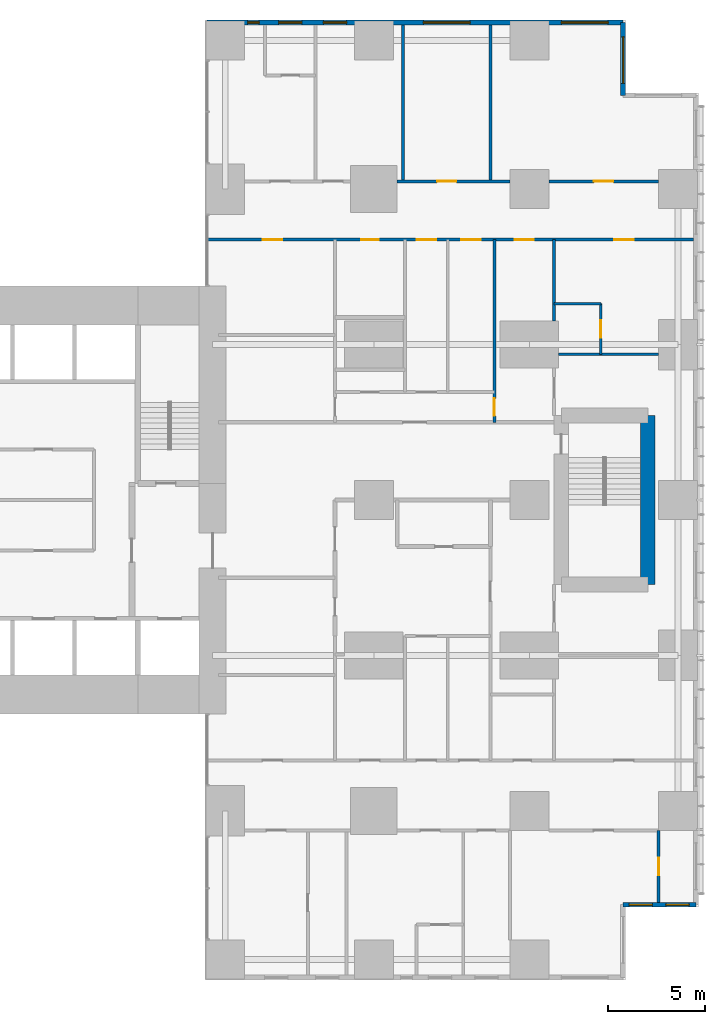
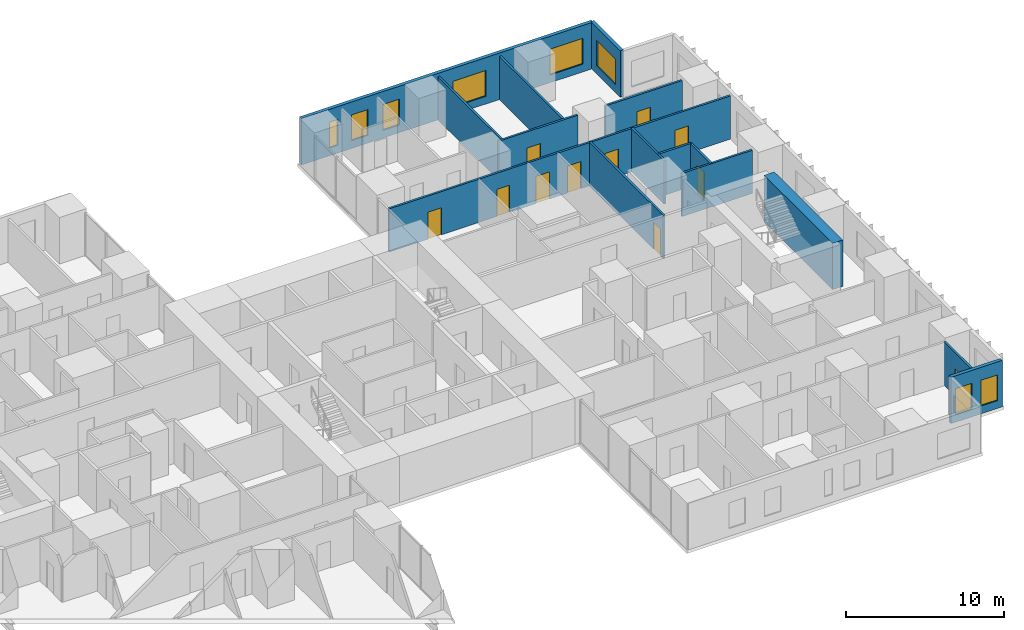
# One storey, part 18 of 20: 15 walls, 11 doors, 8 windows, 19 openings.
"""IFC4 building model written with IfcOpenShell, lengths in metres."""

from ifc_helpers import new_model, si_unit, direction, frame, frame_2d, origin, place, context, subcontext, project, spatial, rectangle, extrude, material, layer, layer_set, type_object, element, fill, save


model = new_model("IFC4")

# Units and contexts
model_context = context("Model", 3, precision=1e-05, world=origin(), true_north=direction((0.0, 1.0)))
body_context = subcontext(model_context, "Body", "Model", "MODEL_VIEW")
ifc_project = project(units=[si_unit("LENGTHUNIT", "METRE"), si_unit("AREAUNIT", "SQUARE_METRE"), si_unit("VOLUMEUNIT", "CUBIC_METRE"), si_unit("PLANEANGLEUNIT", "RADIAN"), si_unit("MASSUNIT", "GRAM", prefix="KILO")], contexts=[model_context])

# Site, building, storey
site_placement = place(None, origin())
site = spatial("IfcSite", under=ifc_project, at=site_placement, CompositionType="ELEMENT")
building_placement = place(site_placement, origin())
building = spatial("IfcBuilding", under=site, at=building_placement, Name="Cleftline Residences", CompositionType="ELEMENT")
storey_placement = place(building_placement, frame((0.0, 0.0, 69.199951171875)))
storey = spatial("IfcBuildingStorey", under=building, at=storey_placement, Name="L17", CompositionType="ELEMENT", Elevation=69.199951171875)

# Wall, openings, windows
ifc_material_1 = material(Name="Rendered reinforced concrete blockwork", Category="masonry")
ifc_layer_1 = layer(ifc_material_1, 0.25)
ifc_layer_set_1 = layer_set([ifc_layer_1], Name="EXTERNAL WALL 250")
wall_type_1 = type_object("IfcWallType", Name="EXTERNAL WALL 250", PredefinedType="SOLIDWALL", material=ifc_layer_set_1)
wall_1_placement = place(storey_placement, frame((62.824951171875, 3.175048828125, 0.0), z_axis=(0.0, 0.0, 1.0), x_axis=(1.0, 0.0, 0.0)))
wall_1 = element("IfcWall", 1, at=wall_1_placement, inside=storey, type_object=wall_type_1, Name="External wall", PredefinedType="SOLIDWALL", context=body_context, shape_type="SweptSolid", body=[
    extrude(rectangle(XDim=3.75, YDim=0.25, at=frame_2d((1.875, 0.0))), origin(), (0.0, 0.0, 1.0), 3.60009765625),
])
opening_1_placement = place(wall_1_placement, frame((0.3125, 0.0, 0.60009765625)))
opening_1 = element("IfcOpeningElement", 2, at=opening_1_placement, cuts=wall_1, Name="Opening W8", PredefinedType="OPENING", context=body_context, shape_type="SweptSolid", body=[
    extrude(rectangle(XDim=1.199951171875, YDim=2.0, at=frame_2d((0.60009765625, 1.0))), frame((0.0, 0.135009765625, 0.0), z_axis=(0.0, -1.0, 0.0), x_axis=(1.0, 0.0, 0.0)), (0.0, 0.0, 1.0), 0.27001953125),
])
opening_2_placement = place(wall_1_placement, frame((2.199951171875, 0.0, 0.60009765625)))
opening_2 = element("IfcOpeningElement", 3, at=opening_2_placement, cuts=wall_1, Name="Opening W8", PredefinedType="OPENING", context=body_context, shape_type="SweptSolid", body=[
    extrude(rectangle(XDim=1.199951171875, YDim=2.0, at=frame_2d((0.60009765625, 1.0))), frame((0.0, 0.135009765625, 0.0), z_axis=(0.0, -1.0, 0.0), x_axis=(1.0, 0.0, 0.0)), (0.0, 0.0, 1.0), 0.27001953125),
])
ifc_material_2 = material(Name="Aluminium frame, clear double glazing", Category="aluminium")
window_type_1 = type_object("IfcWindowType", Name="WINDOW 1200X2000", PartitioningType="DOUBLE_PANEL_VERTICAL", PredefinedType="WINDOW", material=ifc_material_2)
window_1_placement = place(opening_1_placement, origin())
window_1 = element("IfcWindow", 4, at=window_1_placement, inside=storey, type_object=window_type_1, Name="Window", OverallHeight=2.0, OverallWidth=1.199951171875, PartitioningType="SINGLE_PANEL", PredefinedType="WINDOW", context=body_context, shape_type="SweptSolid", body=[
    extrude(rectangle(XDim=1.199951171875, YDim=2.0, at=frame_2d((0.60009765625, 1.0))), frame((0.0, 0.030029296875, 0.0), z_axis=(0.0, -1.0, 0.0), x_axis=(1.0, 0.0, 0.0)), (0.0, 0.0, 1.0), 0.06005859375),
])
fill(opening_1, window_1)
window_2_placement = place(opening_2_placement, origin())
window_2 = element("IfcWindow", 5, at=window_2_placement, inside=storey, type_object=window_type_1, Name="Window", OverallHeight=2.0, OverallWidth=1.199951171875, PartitioningType="SINGLE_PANEL", PredefinedType="WINDOW", context=body_context, shape_type="SweptSolid", body=[
    extrude(rectangle(XDim=1.199951171875, YDim=2.0, at=frame_2d((0.60009765625, 1.0))), frame((0.0, 0.030029296875, 0.0), z_axis=(0.0, -1.0, 0.0), x_axis=(1.0, 0.0, 0.0)), (0.0, 0.0, 1.0), 0.06005859375),
])
fill(opening_2, window_2)

# Wall, opening, window
wall_2_placement = place(storey_placement, frame((62.824951171875, 44.824951171875, 0.0), z_axis=(0.0, 0.0, 1.0), x_axis=(0.0, 1.0, 0.0)))
wall_2 = element("IfcWall", 6, at=wall_2_placement, inside=storey, type_object=wall_type_1, Name="External wall", PredefinedType="SOLIDWALL", context=body_context, shape_type="SweptSolid", body=[
    extrude(rectangle(XDim=3.75, YDim=0.25, at=frame_2d((1.875, 0.0))), origin(), (0.0, 0.0, 1.0), 3.60009765625),
])
opening_3_placement = place(wall_2_placement, frame((0.612548828125, 0.0, 0.60009765625)))
opening_3 = element("IfcOpeningElement", 7, at=opening_3_placement, cuts=wall_2, Name="Opening W6", PredefinedType="OPENING", context=body_context, shape_type="SweptSolid", body=[
    extrude(rectangle(XDim=2.39990234375, YDim=2.0, at=frame_2d((1.199951171875, 1.0))), frame((0.0, 0.135009765625, 0.0), z_axis=(0.0, -1.0, 0.0), x_axis=(1.0, 0.0, 0.0)), (0.0, 0.0, 1.0), 0.27001953125),
])
ifc_material_3 = material(Name="Aluminium frame, clear double glazing", Category="aluminium")
window_type_2 = type_object("IfcWindowType", Name="WINDOW 2400X2000", PartitioningType="DOUBLE_PANEL_VERTICAL", PredefinedType="WINDOW", material=ifc_material_3)
window_3_placement = place(opening_3_placement, origin())
window_3 = element("IfcWindow", 8, at=window_3_placement, inside=storey, type_object=window_type_2, Name="Window", OverallHeight=2.0, OverallWidth=2.39990234375, PartitioningType="SINGLE_PANEL", PredefinedType="WINDOW", context=body_context, shape_type="SweptSolid", body=[
    extrude(rectangle(XDim=2.39990234375, YDim=2.0, at=frame_2d((1.199951171875, 1.0))), frame((0.0, 0.030029296875, 0.0), z_axis=(0.0, -1.0, 0.0), x_axis=(1.0, 0.0, 0.0)), (0.0, 0.0, 1.0), 0.06005859375),
])
fill(opening_3, window_3)

# Wall, openings, windows
wall_3_placement = place(storey_placement, frame((62.824951171875, 48.574951171875, 0.0), z_axis=(0.0, 0.0, 1.0), x_axis=(-1.0, 0.0, 0.0)))
wall_3 = element("IfcWall", 9, at=wall_3_placement, inside=storey, type_object=wall_type_1, Name="External wall", PredefinedType="SOLIDWALL", context=body_context, shape_type="SweptSolid", body=[
    extrude(rectangle(XDim=21.39990234375, YDim=0.25, at=frame_2d((10.699951171875, 0.0))), origin(), (0.0, 0.0, 1.0), 3.60009765625),
])
opening_4_placement = place(wall_3_placement, frame((0.77490234375, 0.0, 0.60009765625)))
opening_4 = element("IfcOpeningElement", 10, at=opening_4_placement, cuts=wall_3, Name="Opening W6", PredefinedType="OPENING", context=body_context, shape_type="SweptSolid", body=[
    extrude(rectangle(XDim=2.39990234375, YDim=2.0, at=frame_2d((1.199951171875, 1.0))), frame((0.0, 0.135009765625, 0.0), z_axis=(0.0, -1.0, 0.0), x_axis=(1.0, 0.0, 0.0)), (0.0, 0.0, 1.0), 0.27001953125),
])
opening_5_placement = place(wall_3_placement, frame((7.875, 0.0, 0.60009765625)))
opening_5 = element("IfcOpeningElement", 11, at=opening_5_placement, cuts=wall_3, Name="Opening W6", PredefinedType="OPENING", context=body_context, shape_type="SweptSolid", body=[
    extrude(rectangle(XDim=2.39990234375, YDim=2.0, at=frame_2d((1.199951171875, 1.0))), frame((0.0, 0.135009765625, 0.0), z_axis=(0.0, -1.0, 0.0), x_axis=(1.0, 0.0, 0.0)), (0.0, 0.0, 1.0), 0.27001953125),
])
opening_6_placement = place(wall_3_placement, frame((14.22509765625, 0.0, 0.60009765625)))
opening_6 = element("IfcOpeningElement", 12, at=opening_6_placement, cuts=wall_3, Name="Opening W8", PredefinedType="OPENING", context=body_context, shape_type="SweptSolid", body=[
    extrude(rectangle(XDim=1.199951171875, YDim=2.0, at=frame_2d((0.60009765625, 1.0))), frame((0.0, 0.135009765625, 0.0), z_axis=(0.0, -1.0, 0.0), x_axis=(1.0, 0.0, 0.0)), (0.0, 0.0, 1.0), 0.27001953125),
])
opening_7_placement = place(wall_3_placement, frame((16.52490234375, 0.0, 0.60009765625)))
opening_7 = element("IfcOpeningElement", 13, at=opening_7_placement, cuts=wall_3, Name="Opening W8", PredefinedType="OPENING", context=body_context, shape_type="SweptSolid", body=[
    extrude(rectangle(XDim=1.199951171875, YDim=2.0, at=frame_2d((0.60009765625, 1.0))), frame((0.0, 0.135009765625, 0.0), z_axis=(0.0, -1.0, 0.0), x_axis=(1.0, 0.0, 0.0)), (0.0, 0.0, 1.0), 0.27001953125),
])
opening_8_placement = place(wall_3_placement, frame((18.72509765625, 0.0, 0.60009765625)))
opening_8 = element("IfcOpeningElement", 14, at=opening_8_placement, cuts=wall_3, Name="Opening W7", PredefinedType="OPENING", context=body_context, shape_type="SweptSolid", body=[
    extrude(rectangle(XDim=0.60009765625, YDim=2.0, at=frame_2d((0.300048828125, 1.0))), frame((0.0, 0.135009765625, 0.0), z_axis=(0.0, -1.0, 0.0), x_axis=(1.0, 0.0, 0.0)), (0.0, 0.0, 1.0), 0.27001953125),
])
window_4_placement = place(opening_6_placement, origin())
window_4 = element("IfcWindow", 15, at=window_4_placement, inside=storey, type_object=window_type_1, Name="Window", OverallHeight=2.0, OverallWidth=1.199951171875, PartitioningType="SINGLE_PANEL", PredefinedType="WINDOW", context=body_context, shape_type="SweptSolid", body=[
    extrude(rectangle(XDim=1.199951171875, YDim=2.0, at=frame_2d((0.60009765625, 1.0))), frame((0.0, 0.030029296875, 0.0), z_axis=(0.0, -1.0, 0.0), x_axis=(1.0, 0.0, 0.0)), (0.0, 0.0, 1.0), 0.06005859375),
])
fill(opening_6, window_4)
window_5_placement = place(opening_7_placement, origin())
window_5 = element("IfcWindow", 16, at=window_5_placement, inside=storey, type_object=window_type_1, Name="Window", OverallHeight=2.0, OverallWidth=1.199951171875, PartitioningType="SINGLE_PANEL", PredefinedType="WINDOW", context=body_context, shape_type="SweptSolid", body=[
    extrude(rectangle(XDim=1.199951171875, YDim=2.0, at=frame_2d((0.60009765625, 1.0))), frame((0.0, 0.030029296875, 0.0), z_axis=(0.0, -1.0, 0.0), x_axis=(1.0, 0.0, 0.0)), (0.0, 0.0, 1.0), 0.06005859375),
])
fill(opening_7, window_5)
window_6_placement = place(opening_4_placement, origin())
window_6 = element("IfcWindow", 17, at=window_6_placement, inside=storey, type_object=window_type_2, Name="Window", OverallHeight=2.0, OverallWidth=2.39990234375, PartitioningType="SINGLE_PANEL", PredefinedType="WINDOW", context=body_context, shape_type="SweptSolid", body=[
    extrude(rectangle(XDim=2.39990234375, YDim=2.0, at=frame_2d((1.199951171875, 1.0))), frame((0.0, 0.030029296875, 0.0), z_axis=(0.0, -1.0, 0.0), x_axis=(1.0, 0.0, 0.0)), (0.0, 0.0, 1.0), 0.06005859375),
])
fill(opening_4, window_6)
window_7_placement = place(opening_5_placement, origin())
window_7 = element("IfcWindow", 18, at=window_7_placement, inside=storey, type_object=window_type_2, Name="Window", OverallHeight=2.0, OverallWidth=2.39990234375, PartitioningType="SINGLE_PANEL", PredefinedType="WINDOW", context=body_context, shape_type="SweptSolid", body=[
    extrude(rectangle(XDim=2.39990234375, YDim=2.0, at=frame_2d((1.199951171875, 1.0))), frame((0.0, 0.030029296875, 0.0), z_axis=(0.0, -1.0, 0.0), x_axis=(1.0, 0.0, 0.0)), (0.0, 0.0, 1.0), 0.06005859375),
])
fill(opening_5, window_7)
ifc_material_4 = material(Name="Aluminium frame, clear double glazing", Category="aluminium")
window_type_3 = type_object("IfcWindowType", Name="WINDOW 600X2000", PartitioningType="DOUBLE_PANEL_VERTICAL", PredefinedType="WINDOW", material=ifc_material_4)
window_8_placement = place(opening_8_placement, origin())
window_8 = element("IfcWindow", 19, at=window_8_placement, inside=storey, type_object=window_type_3, Name="Window", OverallHeight=2.0, OverallWidth=0.60009765625, PartitioningType="SINGLE_PANEL", PredefinedType="WINDOW", context=body_context, shape_type="SweptSolid", body=[
    extrude(rectangle(XDim=0.60009765625, YDim=2.0, at=frame_2d((0.300048828125, 1.0))), frame((0.0, 0.030029296875, 0.0), z_axis=(0.0, -1.0, 0.0), x_axis=(1.0, 0.0, 0.0)), (0.0, 0.0, 1.0), 0.06005859375),
])
fill(opening_8, window_8)

# Walls
ifc_material_5 = material(Name="Gypsum board on steel studs", Category="steel")
ifc_layer_2 = layer(ifc_material_5, 0.14990234375)
ifc_layer_set_2 = layer_set([ifc_layer_2], Name="PARTITION 150")
wall_type_2 = type_object("IfcWallType", Name="PARTITION 150", PredefinedType="PARTITIONING", material=ifc_layer_set_2)
wall_4_placement = place(storey_placement, frame((59.5, 31.5, 0.0), z_axis=(0.0, 0.0, 1.0), x_axis=(1.0, 0.0, 0.0)))
element("IfcWall", 20, at=wall_4_placement, inside=storey, type_object=wall_type_2, Name="Partition", PredefinedType="PARTITIONING", context=body_context, shape_type="SweptSolid", body=[
    extrude(rectangle(XDim=5.14990234375, YDim=0.14990234375, at=frame_2d((2.574951171875, 0.0))), origin(), (0.0, 0.0, 1.0), 3.35009765625),
])
wall_5_placement = place(storey_placement, frame((59.27490234375, 34.10009765625, 0.0), z_axis=(0.0, 0.0, 1.0), x_axis=(1.0, 0.0, 0.0)))
element("IfcWall", 21, at=wall_5_placement, inside=storey, type_object=wall_type_2, Name="Partition", PredefinedType="PARTITIONING", context=body_context, shape_type="SweptSolid", body=[
    extrude(rectangle(XDim=2.400146484375, YDim=0.14990234375, at=frame_2d((1.2001953125, 0.0))), origin(), (0.0, 0.0, 1.0), 3.35009765625),
])

# Wall, openings, doors
wall_6_placement = place(storey_placement, frame((41.43896484375, 37.39990234375, 0.0), z_axis=(0.0, 0.0, 1.0), x_axis=(1.0, 0.0, 0.0)))
wall_6 = element("IfcWall", 22, at=wall_6_placement, inside=storey, type_object=wall_type_2, Name="Partition", PredefinedType="PARTITIONING", context=body_context, shape_type="SweptSolid", body=[
    extrude(rectangle(XDim=25.010986328125, YDim=0.14990234375, at=frame_2d((12.50537109375, 0.0))), origin(), (0.0, 0.0, 1.0), 3.35009765625),
])
opening_9_placement = place(wall_6_placement, frame((10.760986328125, 0.0, 0.0)))
opening_9 = element("IfcOpeningElement", 23, at=opening_9_placement, cuts=wall_6, Name="Opening D2", PredefinedType="OPENING", context=body_context, shape_type="SweptSolid", body=[
    extrude(rectangle(XDim=1.0, YDim=2.10009765625, at=frame_2d((0.5, 1.050048828125))), frame((0.0, 0.0849609375, 0.0), z_axis=(0.0, -1.0, 0.0), x_axis=(1.0, 0.0, 0.0)), (0.0, 0.0, 1.0), 0.169921875),
])
opening_10_placement = place(wall_6_placement, frame((20.923583984375, 0.0, 0.0)))
opening_10 = element("IfcOpeningElement", 24, at=opening_10_placement, cuts=wall_6, Name="Opening D2", PredefinedType="OPENING", context=body_context, shape_type="SweptSolid", body=[
    extrude(rectangle(XDim=1.0, YDim=2.10009765625, at=frame_2d((0.5, 1.050048828125))), frame((0.0, 0.0849609375, 0.0), z_axis=(0.0, -1.0, 0.0), x_axis=(1.0, 0.0, 0.0)), (0.0, 0.0, 1.0), 0.169921875),
])
opening_11_placement = place(wall_6_placement, frame((15.798583984375, 0.0, 0.0)))
opening_11 = element("IfcOpeningElement", 25, at=opening_11_placement, cuts=wall_6, Name="Opening D2", PredefinedType="OPENING", context=body_context, shape_type="SweptSolid", body=[
    extrude(rectangle(XDim=1.0, YDim=2.10009765625, at=frame_2d((0.5, 1.050048828125))), frame((0.0, 0.0849609375, 0.0), z_axis=(0.0, -1.0, 0.0), x_axis=(1.0, 0.0, 0.0)), (0.0, 0.0, 1.0), 0.169921875),
])
opening_12_placement = place(wall_6_placement, frame((13.06103515625, 0.0, 0.0)))
opening_12 = element("IfcOpeningElement", 26, at=opening_12_placement, cuts=wall_6, Name="Opening D2", PredefinedType="OPENING", context=body_context, shape_type="SweptSolid", body=[
    extrude(rectangle(XDim=1.0, YDim=2.10009765625, at=frame_2d((0.5, 1.050048828125))), frame((0.0, 0.0849609375, 0.0), z_axis=(0.0, -1.0, 0.0), x_axis=(1.0, 0.0, 0.0)), (0.0, 0.0, 1.0), 0.169921875),
])
opening_13_placement = place(wall_6_placement, frame((7.910888671875, 0.0, 0.0)))
opening_13 = element("IfcOpeningElement", 27, at=opening_13_placement, cuts=wall_6, Name="Opening D1", PredefinedType="OPENING", context=body_context, shape_type="SweptSolid", body=[
    extrude(rectangle(XDim=0.89990234375, YDim=2.10009765625, at=frame_2d((0.449951171875, 1.050048828125))), frame((0.0, 0.0849609375, 0.0), z_axis=(0.0, -1.0, 0.0), x_axis=(1.0, 0.0, 0.0)), (0.0, 0.0, 1.0), 0.169921875),
])
opening_14_placement = place(wall_6_placement, frame((2.8359375, 0.0, 0.0)))
opening_14 = element("IfcOpeningElement", 28, at=opening_14_placement, cuts=wall_6, Name="Opening D2", PredefinedType="OPENING", context=body_context, shape_type="SweptSolid", body=[
    extrude(rectangle(XDim=1.0, YDim=2.10009765625, at=frame_2d((0.5, 1.050048828125))), frame((0.0, 0.0849609375, 0.0), z_axis=(0.0, -1.0, 0.0), x_axis=(1.0, 0.0, 0.0)), (0.0, 0.0, 1.0), 0.169921875),
])
ifc_material_6 = material(Name="Timber veneer on solid core", Category="wood")
door_type_1 = type_object("IfcDoorType", Name="DOOR 1000X2100", OperationType="SINGLE_SWING_LEFT", PredefinedType="DOOR", material=ifc_material_6)
door_1_placement = place(opening_9_placement, origin())
door_1 = element("IfcDoor", 29, at=door_1_placement, inside=storey, type_object=door_type_1, Name="Door to residence hall", OperationType="SINGLE_SWING_RIGHT", OverallHeight=2.10009765625, OverallWidth=1.0, PredefinedType="DOOR", context=body_context, shape_type="SweptSolid", body=[
    extrude(rectangle(XDim=1.0, YDim=2.10009765625, at=frame_2d((0.5, 1.050048828125))), frame((0.0, 0.02490234375, 0.0), z_axis=(0.0, -1.0, 0.0), x_axis=(1.0, 0.0, 0.0)), (0.0, 0.0, 1.0), 0.050048828125),
])
fill(opening_9, door_1)
door_2_placement = place(opening_10_placement, origin())
door_2 = element("IfcDoor", 30, at=door_2_placement, inside=storey, type_object=door_type_1, Name="Door to master bedroom", OperationType="SINGLE_SWING_LEFT", OverallHeight=2.10009765625, OverallWidth=1.0, PredefinedType="DOOR", context=body_context, shape_type="SweptSolid", body=[
    extrude(rectangle(XDim=1.0, YDim=2.10009765625, at=frame_2d((0.5, 1.050048828125))), frame((0.0, 0.02490234375, 0.0), z_axis=(0.0, -1.0, 0.0), x_axis=(1.0, 0.0, 0.0)), (0.0, 0.0, 1.0), 0.050048828125),
])
fill(opening_10, door_2)
door_3_placement = place(opening_11_placement, origin())
door_3 = element("IfcDoor", 31, at=door_3_placement, inside=storey, type_object=door_type_1, Name="Door to wet kitchen", OperationType="SINGLE_SWING_LEFT", OverallHeight=2.10009765625, OverallWidth=1.0, PredefinedType="DOOR", context=body_context, shape_type="SweptSolid", body=[
    extrude(rectangle(XDim=1.0, YDim=2.10009765625, at=frame_2d((0.5, 1.050048828125))), frame((0.0, 0.02490234375, 0.0), z_axis=(0.0, -1.0, 0.0), x_axis=(1.0, 0.0, 0.0)), (0.0, 0.0, 1.0), 0.050048828125),
])
fill(opening_11, door_3)
door_4_placement = place(opening_12_placement, origin())
door_4 = element("IfcDoor", 32, at=door_4_placement, inside=storey, type_object=door_type_1, Name="Door to media room", OperationType="SINGLE_SWING_LEFT", OverallHeight=2.10009765625, OverallWidth=1.0, PredefinedType="DOOR", context=body_context, shape_type="SweptSolid", body=[
    extrude(rectangle(XDim=1.0, YDim=2.10009765625, at=frame_2d((0.5, 1.050048828125))), frame((0.0, 0.02490234375, 0.0), z_axis=(0.0, -1.0, 0.0), x_axis=(1.0, 0.0, 0.0)), (0.0, 0.0, 1.0), 0.050048828125),
])
fill(opening_12, door_4)
door_5_placement = place(opening_14_placement, origin())
door_5 = element("IfcDoor", 33, at=door_5_placement, inside=storey, type_object=door_type_1, Name="Door to study", OperationType="SINGLE_SWING_RIGHT", OverallHeight=2.10009765625, OverallWidth=1.0, PredefinedType="DOOR", context=body_context, shape_type="SweptSolid", body=[
    extrude(rectangle(XDim=1.0, YDim=2.10009765625, at=frame_2d((0.5, 1.050048828125))), frame((0.0, 0.02490234375, 0.0), z_axis=(0.0, -1.0, 0.0), x_axis=(1.0, 0.0, 0.0)), (0.0, 0.0, 1.0), 0.050048828125),
])
fill(opening_14, door_5)
ifc_material_7 = material(Name="Timber veneer on solid core", Category="wood")
door_type_2 = type_object("IfcDoorType", Name="DOOR 900X2100", OperationType="SINGLE_SWING_LEFT", PredefinedType="DOOR", material=ifc_material_7)
door_6_placement = place(opening_13_placement, origin())
door_6 = element("IfcDoor", 34, at=door_6_placement, inside=storey, type_object=door_type_2, Name="Door to bedroom 2 bathroom", OperationType="SINGLE_SWING_RIGHT", OverallHeight=2.10009765625, OverallWidth=0.89990234375, PredefinedType="DOOR", context=body_context, shape_type="SweptSolid", body=[
    extrude(rectangle(XDim=0.89990234375, YDim=2.10009765625, at=frame_2d((0.449951171875, 1.050048828125))), frame((0.0, 0.02490234375, 0.0), z_axis=(0.0, -1.0, 0.0), x_axis=(1.0, 0.0, 0.0)), (0.0, 0.0, 1.0), 0.050048828125),
])
fill(opening_13, door_6)

# Wall, opening, door
wall_7_placement = place(storey_placement, frame((51.199951171875, 40.39990234375, 0.0), z_axis=(0.0, 0.0, 1.0), x_axis=(1.0, 0.0, 0.0)))
wall_7 = element("IfcWall", 35, at=wall_7_placement, inside=storey, type_object=wall_type_2, Name="Partition", PredefinedType="PARTITIONING", context=body_context, shape_type="SweptSolid", body=[
    extrude(rectangle(XDim=5.800048828125, YDim=0.14990234375, at=frame_2d((2.89990234375, 0.0))), origin(), (0.0, 0.0, 1.0), 3.35009765625),
])
opening_15_placement = place(wall_7_placement, frame((2.050048828125, 0.0, 0.0)))
opening_15 = element("IfcOpeningElement", 36, at=opening_15_placement, cuts=wall_7, Name="Opening D2", PredefinedType="OPENING", context=body_context, shape_type="SweptSolid", body=[
    extrude(rectangle(XDim=1.0, YDim=2.10009765625, at=frame_2d((0.5, 1.050048828125))), frame((0.0, 0.0849609375, 0.0), z_axis=(0.0, -1.0, 0.0), x_axis=(1.0, 0.0, 0.0)), (0.0, 0.0, 1.0), 0.169921875),
])
door_7_placement = place(opening_15_placement, origin())
door_7 = element("IfcDoor", 37, at=door_7_placement, inside=storey, type_object=door_type_1, Name="Door to dining room", OperationType="SINGLE_SWING_RIGHT", OverallHeight=2.10009765625, OverallWidth=1.0, PredefinedType="DOOR", context=body_context, shape_type="SweptSolid", body=[
    extrude(rectangle(XDim=1.0, YDim=2.10009765625, at=frame_2d((0.5, 1.050048828125))), frame((0.0, 0.02490234375, 0.0), z_axis=(0.0, -1.0, 0.0), x_axis=(1.0, 0.0, 0.0)), (0.0, 0.0, 1.0), 0.050048828125),
])
fill(opening_15, door_7)

wall_8_placement = place(storey_placement, frame((59.0, 40.39990234375, 0.0), z_axis=(0.0, 0.0, 1.0), x_axis=(1.0, 0.0, 0.0)))
wall_8 = element("IfcWall", 38, at=wall_8_placement, inside=storey, type_object=wall_type_2, Name="Partition", PredefinedType="PARTITIONING", context=body_context, shape_type="SweptSolid", body=[
    extrude(rectangle(XDim=5.64990234375, YDim=0.14990234375, at=frame_2d((2.824951171875, 0.0))), origin(), (0.0, 0.0, 1.0), 3.35009765625),
])
opening_16_placement = place(wall_8_placement, frame((2.324951171875, 0.0, 0.0)))
opening_16 = element("IfcOpeningElement", 39, at=opening_16_placement, cuts=wall_8, Name="Opening D2", PredefinedType="OPENING", context=body_context, shape_type="SweptSolid", body=[
    extrude(rectangle(XDim=1.0, YDim=2.10009765625, at=frame_2d((0.5, 1.050048828125))), frame((0.0, 0.0849609375, 0.0), z_axis=(0.0, -1.0, 0.0), x_axis=(1.0, 0.0, 0.0)), (0.0, 0.0, 1.0), 0.169921875),
])
door_8_placement = place(opening_16_placement, origin())
door_8 = element("IfcDoor", 40, at=door_8_placement, inside=storey, type_object=door_type_1, Name="Door to sea-view lounge", OperationType="SINGLE_SWING_LEFT", OverallHeight=2.10009765625, OverallWidth=1.0, PredefinedType="DOOR", context=body_context, shape_type="SweptSolid", body=[
    extrude(rectangle(XDim=1.0, YDim=2.10009765625, at=frame_2d((0.5, 1.050048828125))), frame((0.0, 0.02490234375, 0.0), z_axis=(0.0, -1.0, 0.0), x_axis=(1.0, 0.0, 0.0)), (0.0, 0.0, 1.0), 0.050048828125),
])
fill(opening_16, door_8)

# Walls
for number, where, z_axis, x_axis, name in (
    (41, (51.5, 40.39990234375, 0.0), (0.0, 0.0, 1.0), (0.0, 1.0, 0.0), "Partition"),
    (42, (56.0, 40.39990234375, 0.0), (0.0, 0.0, 1.0), (0.0, 1.0, 0.0), "Partition"),
):
    element("IfcWall", number, at=place(storey_placement, frame(where, z_axis=z_axis, x_axis=x_axis)), inside=storey, type_object=wall_type_2, Name=name, PredefinedType="PARTITIONING", context=body_context, shape_type="SweptSolid", body=[
        extrude(rectangle(XDim=8.050048828125, YDim=0.14990234375, at=frame_2d((4.02490234375, 0.0))), origin(), (0.0, 0.0, 1.0), 3.35009765625),
    ])

# Wall, opening, door
wall_9_placement = place(storey_placement, frame((56.199951171875, 28.0, 0.0), z_axis=(0.0, 0.0, 1.0), x_axis=(0.0, 1.0, 0.0)))
wall_9 = element("IfcWall", 43, at=wall_9_placement, inside=storey, type_object=wall_type_2, Name="Partition", PredefinedType="PARTITIONING", context=body_context, shape_type="SweptSolid", body=[
    extrude(rectangle(XDim=9.39990234375, YDim=0.14990234375, at=frame_2d((4.699951171875, 0.0))), origin(), (0.0, 0.0, 1.0), 3.35009765625),
])
opening_17_placement = place(wall_9_placement, frame((0.324951171875, 0.0, 0.0)))
opening_17 = element("IfcOpeningElement", 44, at=opening_17_placement, cuts=wall_9, Name="Opening D1F30", PredefinedType="OPENING", context=body_context, shape_type="SweptSolid", body=[
    extrude(rectangle(XDim=0.89990234375, YDim=2.10009765625, at=frame_2d((0.449951171875, 1.050048828125))), frame((0.0, 0.0849609375, 0.0), z_axis=(0.0, -1.0, 0.0), x_axis=(1.0, 0.0, 0.0)), (0.0, 0.0, 1.0), 0.169921875),
])
ifc_material_8 = material(Name="Timber veneer on solid core", Category="wood")
door_type_3 = type_object("IfcDoorType", Name="DOOR 900X2100 EI 30", OperationType="SINGLE_SWING_LEFT", PredefinedType="DOOR", material=ifc_material_8)
door_9_placement = place(opening_17_placement, origin())
door_9 = element("IfcDoor", 45, at=door_9_placement, inside=storey, type_object=door_type_3, Name="Door to residence lobby", OperationType="SINGLE_SWING_RIGHT", OverallHeight=2.10009765625, OverallWidth=0.89990234375, PredefinedType="DOOR", context=body_context, shape_type="SweptSolid", body=[
    extrude(rectangle(XDim=0.89990234375, YDim=2.10009765625, at=frame_2d((0.449951171875, 1.050048828125))), frame((0.0, 0.02490234375, 0.0), z_axis=(0.0, -1.0, 0.0), x_axis=(1.0, 0.0, 0.0)), (0.0, 0.0, 1.0), 0.050048828125),
])
fill(opening_17, door_9)

# Wall
wall_10_placement = place(storey_placement, frame((59.27490234375, 33.199951171875, 0.0), z_axis=(0.0, 0.0, 1.0), x_axis=(0.0, 1.0, 0.0)))
element("IfcWall", 46, at=wall_10_placement, inside=storey, type_object=wall_type_2, Name="Partition", PredefinedType="PARTITIONING", context=body_context, shape_type="SweptSolid", body=[
    extrude(rectangle(XDim=4.199951171875, YDim=0.14990234375, at=frame_2d((2.10009765625, 0.0))), origin(), (0.0, 0.0, 1.0), 3.35009765625),
])

# Wall, opening, door
wall_11_placement = place(storey_placement, frame((61.675048828125, 31.5, 0.0), z_axis=(0.0, 0.0, 1.0), x_axis=(0.0, 1.0, 0.0)))
wall_11 = element("IfcWall", 47, at=wall_11_placement, inside=storey, type_object=wall_type_2, Name="Partition", PredefinedType="PARTITIONING", context=body_context, shape_type="SweptSolid", body=[
    extrude(rectangle(XDim=2.60009765625, YDim=0.14990234375, at=frame_2d((1.300048828125, 0.0))), origin(), (0.0, 0.0, 1.0), 3.35009765625),
])
opening_18_placement = place(wall_11_placement, frame((0.85009765625, 0.0, 0.0)))
opening_18 = element("IfcOpeningElement", 48, at=opening_18_placement, cuts=wall_11, Name="Opening D1", PredefinedType="OPENING", context=body_context, shape_type="SweptSolid", body=[
    extrude(rectangle(XDim=0.89990234375, YDim=2.10009765625, at=frame_2d((0.449951171875, 1.050048828125))), frame((0.0, 0.0849609375, 0.0), z_axis=(0.0, -1.0, 0.0), x_axis=(1.0, 0.0, 0.0)), (0.0, 0.0, 1.0), 0.169921875),
])
door_10_placement = place(opening_18_placement, origin())
door_10 = element("IfcDoor", 49, at=door_10_placement, inside=storey, type_object=door_type_2, Name="Door to master bathroom", OperationType="SINGLE_SWING_LEFT", OverallHeight=2.10009765625, OverallWidth=0.89990234375, PredefinedType="DOOR", context=body_context, shape_type="SweptSolid", body=[
    extrude(rectangle(XDim=0.89990234375, YDim=2.10009765625, at=frame_2d((0.449951171875, 1.050048828125))), frame((0.0, 0.02490234375, 0.0), z_axis=(0.0, -1.0, 0.0), x_axis=(1.0, 0.0, 0.0)), (0.0, 0.0, 1.0), 0.050048828125),
])
fill(opening_18, door_10)

wall_12_placement = place(storey_placement, frame((64.64990234375, 3.300048828125, 0.0), z_axis=(0.0, 0.0, 1.0), x_axis=(0.0, 1.0, 0.0)))
wall_12 = element("IfcWall", 50, at=wall_12_placement, inside=storey, type_object=wall_type_2, Name="Partition", PredefinedType="PARTITIONING", context=body_context, shape_type="SweptSolid", body=[
    extrude(rectangle(XDim=3.699951171875, YDim=0.14990234375, at=frame_2d((1.85009765625, 0.0))), origin(), (0.0, 0.0, 1.0), 3.35009765625),
])
opening_19_placement = place(wall_12_placement, frame((1.39990234375, 0.0, 0.0)))
opening_19 = element("IfcOpeningElement", 51, at=opening_19_placement, cuts=wall_12, Name="Opening D1", PredefinedType="OPENING", context=body_context, shape_type="SweptSolid", body=[
    extrude(rectangle(XDim=0.89990234375, YDim=2.10009765625, at=frame_2d((0.449951171875, 1.050048828125))), frame((0.0, 0.0849609375, 0.0), z_axis=(0.0, -1.0, 0.0), x_axis=(1.0, 0.0, 0.0)), (0.0, 0.0, 1.0), 0.169921875),
])
door_11_placement = place(opening_19_placement, origin())
door_11 = element("IfcDoor", 52, at=door_11_placement, inside=storey, type_object=door_type_2, Name="Door to walk-in wardrobe", OperationType="SINGLE_SWING_LEFT", OverallHeight=2.10009765625, OverallWidth=0.89990234375, PredefinedType="DOOR", context=body_context, shape_type="SweptSolid", body=[
    extrude(rectangle(XDim=0.89990234375, YDim=2.10009765625, at=frame_2d((0.449951171875, 1.050048828125))), frame((0.0, 0.02490234375, 0.0), z_axis=(0.0, -1.0, 0.0), x_axis=(1.0, 0.0, 0.0)), (0.0, 0.0, 1.0), 0.050048828125),
])
fill(opening_19, door_11)

# Wall
ifc_material_9 = material(Name="Concrete B70", Category="concrete")
ifc_layer_3 = layer(ifc_material_9, 0.75)
ifc_layer_set_3 = layer_set([ifc_layer_3], Name="SHEAR WALL 750")
wall_type_3 = type_object("IfcWallType", Name="SHEAR WALL 750", PredefinedType="SHEAR", material=ifc_layer_set_3)
wall_13_placement = place(storey_placement, frame((64.10009765625, 19.64990234375, 0.0), z_axis=(0.0, 0.0, 1.0), x_axis=(0.0, 1.0, 0.0)))
element("IfcWall", 53, at=wall_13_placement, inside=storey, type_object=wall_type_3, Name="Wing shear wall", PredefinedType="SHEAR", context=body_context, shape_type="SweptSolid", body=[
    extrude(rectangle(XDim=8.7001953125, YDim=0.75, at=frame_2d((4.35009765625, 0.0))), origin(), (0.0, 0.0, 1.0), 3.60009765625),
])

save(model, "model.ifc")
